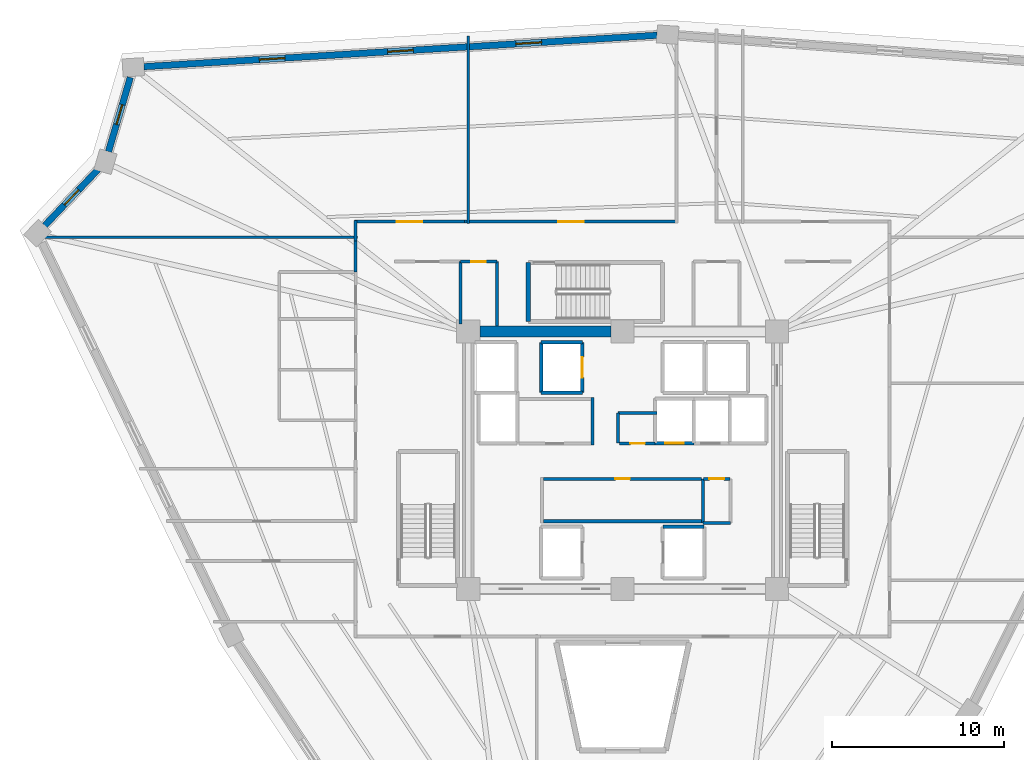
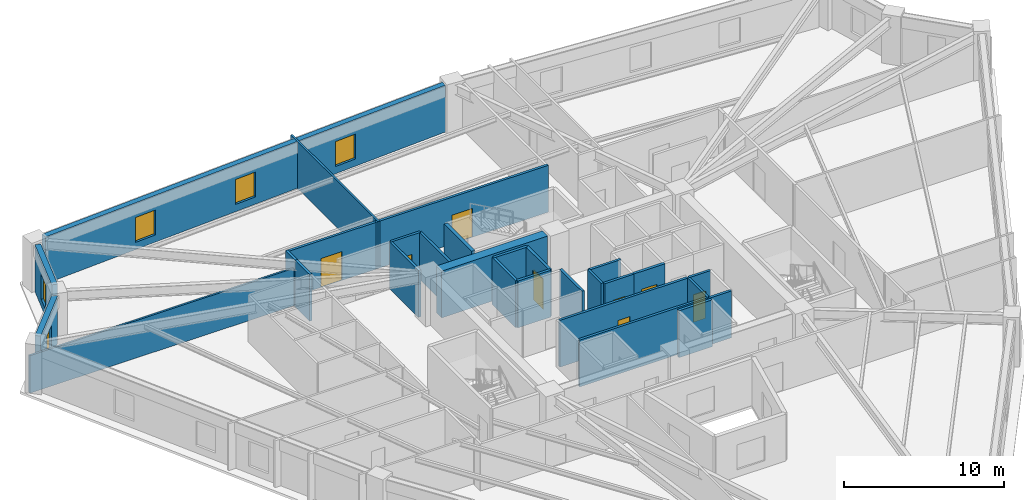
# One storey, part 5 of 8: 29 walls, 8 doors, 5 windows, 13 openings.
"""IFC4 building model written with IfcOpenShell, lengths in metres."""

from ifc_helpers import new_model, si_unit, direction, frame, frame_2d, origin, place, context, subcontext, project, spatial, rectangle, extrude, source, transform, mapped, material, layer, layer_set, type_object, element, fill, save


model = new_model("IFC4")

# Units and contexts
model_context = context("Model", 3, precision=1e-05, world=origin(), true_north=direction((0.0, 1.0)))
body_context = subcontext(model_context, "Body", "Model", "MODEL_VIEW")
ifc_project = project(units=[si_unit("LENGTHUNIT", "METRE"), si_unit("AREAUNIT", "SQUARE_METRE"), si_unit("VOLUMEUNIT", "CUBIC_METRE"), si_unit("PLANEANGLEUNIT", "RADIAN"), si_unit("MASSUNIT", "GRAM", prefix="KILO")], contexts=[model_context])

# Site, building, storey
site_placement = place(None, origin())
site = spatial("IfcSite", under=ifc_project, at=site_placement, CompositionType="ELEMENT")
building_placement = place(site_placement, origin())
building = spatial("IfcBuilding", under=site, at=building_placement, Name="Liaohun Quay Tower", CompositionType="ELEMENT")
storey_placement = place(building_placement, frame((0.0, 0.0, 198.0)))
storey = spatial("IfcBuildingStorey", under=building, at=storey_placement, Name="L51", CompositionType="ELEMENT", Elevation=198.0)

# Wall
ifc_material_1 = material(Name="Concrete C55", Category="concrete")
ifc_layer_1 = layer(ifc_material_1, 0.64990234375, Name="Concrete C55", Category="concrete")
ifc_layer_set_1 = layer_set([ifc_layer_1], Name="Concrete C55")
wall_type_1 = type_object("IfcWallType", Name="WAL-COR-Z3", PredefinedType="SHEAR", material=ifc_layer_set_1)
wall_1_placement = place(storey_placement, frame((51.675048828125, 61.5, 0.0), z_axis=(0.0, 0.0, 1.0), x_axis=(1.0, 0.0, 0.0)))
element("IfcWall", 1, at=wall_1_placement, inside=storey, type_object=wall_type_1, Name="L51 Central Core Shear Wall N-W", PredefinedType="SHEAR", context=body_context, shape_type="SweptSolid", body=[
    extrude(rectangle(XDim=7.64990234375, YDim=0.64990234375, at=frame_2d((3.824951171875, 0.0))), origin(), (0.0, 0.0, 1.0), 3.570068359375),
])

# Wall, openings, windows
ifc_material_2 = material(Name="Precast concrete C50 insulated sandwich", Category="concrete")
ifc_layer_2 = layer(ifc_material_2, 0.3798828125, Name="Precast concrete C50 insulated sandwich", Category="concrete")
ifc_layer_set_2 = layer_set([ifc_layer_2], Name="Precast concrete C50 insulated sandwich")
wall_type_2 = type_object("IfcWallType", Name="WAL-EXT-Z34", PredefinedType="SOLIDWALL", material=ifc_layer_set_2)
wall_2_placement = place(storey_placement, frame((62.006103515625, 78.77392578125, 0.0), z_axis=(0.0, 0.0, 1.0), x_axis=(-0.998134246816, -0.061057557539, 0.0)))
wall_2 = element("IfcWall", 2, at=wall_2_placement, inside=storey, type_object=wall_type_2, Name="L51 Brutalist Precast Pier Wall 07", PredefinedType="SOLIDWALL", context=body_context, shape_type="SweptSolid", body=[
    extrude(rectangle(XDim=29.968994140625, YDim=0.3798828125, at=frame_2d((14.984375, 0.0))), origin(), (0.0, 0.0, 1.0), 3.570068359375),
])
shared_shape_1 = source(origin(), body_context, "Body", "SweptSolid", [
    extrude(rectangle(XDim=1.5, YDim=1.89990234375, at=frame_2d((0.75, 0.949951171875))), frame((0.0, 0.199951171875, 0.0), z_axis=(0.0, -1.0, 0.0), x_axis=(1.0, 0.0, 0.0)), (0.0, 0.0, 1.0), 0.39990234375),
])
opening_1_placement = place(wall_2_placement, frame((6.741943359375, 0.0, 0.550048828125)))
opening_1 = element("IfcOpeningElement", 3, at=opening_1_placement, cuts=wall_2, Name="Opening W03", PredefinedType="OPENING", context=body_context, shape_type="MappedRepresentation", body=[
    mapped(shared_shape_1, transform((0.0, 0.0, 0.0), x_axis=(1.0, 0.0, 0.0), y_axis=(0.0, 1.0, 0.0), z_axis=(0.0, 0.0, 1.0), scale=1.0)),
])
opening_2_placement = place(wall_2_placement, frame((14.23388671875, 0.0, 0.550048828125)))
opening_2 = element("IfcOpeningElement", 4, at=opening_2_placement, cuts=wall_2, Name="Opening W03", PredefinedType="OPENING", context=body_context, shape_type="MappedRepresentation", body=[
    mapped(shared_shape_1, transform((0.0, 0.0, 0.0), x_axis=(1.0, 0.0, 0.0), y_axis=(0.0, 1.0, 0.0), z_axis=(0.0, 0.0, 1.0), scale=1.0)),
])
opening_3_placement = place(wall_2_placement, frame((21.72705078125, 0.0, 0.550048828125)))
opening_3 = element("IfcOpeningElement", 5, at=opening_3_placement, cuts=wall_2, Name="Opening W03", PredefinedType="OPENING", context=body_context, shape_type="MappedRepresentation", body=[
    mapped(shared_shape_1, transform((0.0, 0.0, 0.0), x_axis=(1.0, 0.0, 0.0), y_axis=(0.0, 1.0, 0.0), z_axis=(0.0, 0.0, 1.0), scale=1.0)),
])
ifc_material_3 = material(Name="Triple Low-E argon glazing in thermally broken aluminium", Category="aluminium")
window_type_1 = type_object("IfcWindowType", Name="WIN-PUN-Z3", PartitioningType="DOUBLE_PANEL_VERTICAL", PredefinedType="WINDOW", material=ifc_material_3)
shared_shape_2 = source(origin(), body_context, "Body", "SweptSolid", [
    extrude(rectangle(XDim=1.5, YDim=1.89990234375, at=frame_2d((0.75, 0.949951171875))), frame((0.0, 0.030029296875, 0.0), z_axis=(0.0, -1.0, 0.0), x_axis=(1.0, 0.0, 0.0)), (0.0, 0.0, 1.0), 0.06005859375),
])
window_1_placement = place(opening_1_placement, origin())
window_1 = element("IfcWindow", 6, at=window_1_placement, inside=storey, type_object=window_type_1, Name="L51 Recessed Cold-Climate Punched Window 07-1", OverallHeight=1.89990234375, OverallWidth=1.5, PartitioningType="DOUBLE_PANEL_VERTICAL", PredefinedType="WINDOW", context=body_context, shape_type="MappedRepresentation", body=[
    mapped(shared_shape_2, transform((0.0, 0.0, 0.0), x_axis=(1.0, 0.0, 0.0), y_axis=(0.0, 1.0, 0.0), z_axis=(0.0, 0.0, 1.0), scale=1.0)),
])
fill(opening_1, window_1)
window_2_placement = place(opening_2_placement, origin())
window_2 = element("IfcWindow", 7, at=window_2_placement, inside=storey, type_object=window_type_1, Name="L51 Recessed Cold-Climate Punched Window 07-2", OverallHeight=1.89990234375, OverallWidth=1.5, PartitioningType="DOUBLE_PANEL_VERTICAL", PredefinedType="WINDOW", context=body_context, shape_type="MappedRepresentation", body=[
    mapped(shared_shape_2, transform((0.0, 0.0, 0.0), x_axis=(1.0, 0.0, 0.0), y_axis=(0.0, 1.0, 0.0), z_axis=(0.0, 0.0, 1.0), scale=1.0)),
])
fill(opening_2, window_2)
window_3_placement = place(opening_3_placement, origin())
window_3 = element("IfcWindow", 8, at=window_3_placement, inside=storey, type_object=window_type_1, Name="L51 Recessed Cold-Climate Punched Window 07-3", OverallHeight=1.89990234375, OverallWidth=1.5, PartitioningType="DOUBLE_PANEL_VERTICAL", PredefinedType="WINDOW", context=body_context, shape_type="MappedRepresentation", body=[
    mapped(shared_shape_2, transform((0.0, 0.0, 0.0), x_axis=(1.0, 0.0, 0.0), y_axis=(0.0, 1.0, 0.0), z_axis=(0.0, 0.0, 1.0), scale=1.0)),
])
fill(opening_3, window_3)

# Wall, opening, window
wall_3_placement = place(storey_placement, frame((31.304931640625, 76.31591796875, 0.0), z_axis=(0.0, 0.0, 1.0), x_axis=(-0.282667804741, -0.959217864806, 0.0)))
wall_3 = element("IfcWall", 9, at=wall_3_placement, inside=storey, type_object=wall_type_2, Name="L51 Brutalist Precast Pier Wall 08", PredefinedType="SOLIDWALL", context=body_context, shape_type="SweptSolid", body=[
    extrude(rectangle(XDim=4.5068359375, YDim=0.3798828125, at=frame_2d((2.25341796875, 0.0))), origin(), (0.0, 0.0, 1.0), 3.570068359375),
])
shared_shape_3 = source(origin(), body_context, "Body", "SweptSolid", [
    extrude(rectangle(XDim=1.199951171875, YDim=1.89990234375, at=frame_2d((0.60009765625, 0.949951171875))), frame((0.0, 0.199951171875, 0.0), z_axis=(0.0, -1.0, 0.0), x_axis=(1.0, 0.0, 0.0)), (0.0, 0.0, 1.0), 0.39990234375),
])
opening_4_placement = place(wall_3_placement, frame((1.653076171875, 0.0, 0.550048828125)))
opening_4 = element("IfcOpeningElement", 10, at=opening_4_placement, cuts=wall_3, Name="Opening W05", PredefinedType="OPENING", context=body_context, shape_type="MappedRepresentation", body=[
    mapped(shared_shape_3, transform((0.0, 0.0, 0.0), x_axis=(1.0, 0.0, 0.0), y_axis=(0.0, 1.0, 0.0), z_axis=(0.0, 0.0, 1.0), scale=1.0)),
])
ifc_material_4 = material(Name="Triple Low-E corner notch glazing", Category="glass")
window_type_2 = type_object("IfcWindowType", Name="WIN-NOTCH", PartitioningType="SINGLE_PANEL", PredefinedType="WINDOW", material=ifc_material_4)
shared_shape_4 = source(origin(), body_context, "Body", "SweptSolid", [
    extrude(rectangle(XDim=1.199951171875, YDim=1.89990234375, at=frame_2d((0.60009765625, 0.949951171875))), frame((0.0, 0.030029296875, 0.0), z_axis=(0.0, -1.0, 0.0), x_axis=(1.0, 0.0, 0.0)), (0.0, 0.0, 1.0), 0.06005859375),
])
window_4_placement = place(opening_4_placement, origin())
window_4 = element("IfcWindow", 11, at=window_4_placement, inside=storey, type_object=window_type_2, Name="L51 Corner Notch Window W05-08", OverallHeight=1.89990234375, OverallWidth=1.199951171875, PartitioningType="SINGLE_PANEL", PredefinedType="WINDOW", context=body_context, shape_type="MappedRepresentation", body=[
    mapped(shared_shape_4, transform((0.0, 0.0, 0.0), x_axis=(1.0, 0.0, 0.0), y_axis=(0.0, 1.0, 0.0), z_axis=(0.0, 0.0, 1.0), scale=1.0)),
])
fill(opening_4, window_4)

wall_4_placement = place(storey_placement, frame((29.43310546875, 70.9580078125, 0.0), z_axis=(0.0, 0.0, 1.0), x_axis=(-0.689291978765, -0.724483656137, 0.0)))
wall_4 = element("IfcWall", 12, at=wall_4_placement, inside=storey, type_object=wall_type_2, Name="L51 Brutalist Precast Pier Wall 09", PredefinedType="SOLIDWALL", context=body_context, shape_type="SweptSolid", body=[
    extrude(rectangle(XDim=4.516357421875, YDim=0.3798828125, at=frame_2d((2.25830078125, 0.0))), origin(), (0.0, 0.0, 1.0), 3.570068359375),
])
opening_5_placement = place(wall_4_placement, frame((1.657958984375, 0.0, 0.550048828125)))
opening_5 = element("IfcOpeningElement", 13, at=opening_5_placement, cuts=wall_4, Name="Opening W05", PredefinedType="OPENING", context=body_context, shape_type="MappedRepresentation", body=[
    mapped(shared_shape_3, transform((0.0, 0.0, 0.0), x_axis=(1.0, 0.0, 0.0), y_axis=(0.0, 1.0, 0.0), z_axis=(0.0, 0.0, 1.0), scale=1.0)),
])
window_5_placement = place(opening_5_placement, origin())
window_5 = element("IfcWindow", 14, at=window_5_placement, inside=storey, type_object=window_type_2, Name="L51 Corner Notch Window W05-09", OverallHeight=1.89990234375, OverallWidth=1.199951171875, PartitioningType="SINGLE_PANEL", PredefinedType="WINDOW", context=body_context, shape_type="MappedRepresentation", body=[
    mapped(shared_shape_4, transform((0.0, 0.0, 0.0), x_axis=(1.0, 0.0, 0.0), y_axis=(0.0, 1.0, 0.0), z_axis=(0.0, 0.0, 1.0), scale=1.0)),
])
fill(opening_5, window_5)

# Wall, opening, door
ifc_material_5 = material(Name="Autoclaved aerated concrete blockwork", Category="masonry")
ifc_layer_3 = layer(ifc_material_5, 0.179931640625, Name="Autoclaved aerated concrete blockwork", Category="masonry")
ifc_layer_set_3 = layer_set([ifc_layer_3], Name="Autoclaved aerated concrete blockwork")
wall_type_3 = type_object("IfcWallType", Name="WAL-PRT-COR", PredefinedType="PARTITIONING", material=ifc_layer_set_3)
wall_5_placement = place(storey_placement, frame((55.389892578125, 52.919921875, 0.0), z_axis=(0.0, 0.0, 1.0), x_axis=(1.0, 0.0, 0.0)))
wall_5 = element("IfcWall", 15, at=wall_5_placement, inside=storey, type_object=wall_type_3, Name="L51 Interior Partition Wall 001", PredefinedType="PARTITIONING", context=body_context, shape_type="SweptSolid", body=[
    extrude(rectangle(XDim=9.210205078125, YDim=0.179931640625, at=frame_2d((4.60498046875, 0.0))), origin(), (0.0, 0.0, 1.0), 3.570068359375),
])
shared_shape_5 = source(origin(), body_context, "Body", "SweptSolid", [
    extrude(rectangle(XDim=0.85009765625, YDim=2.10009765625, at=frame_2d((0.425048828125, 1.050048828125))), frame((0.0, 0.099853515625, 0.0), z_axis=(0.0, -1.0, 0.0), x_axis=(1.0, 0.0, 0.0)), (0.0, 0.0, 1.0), 0.199951171875),
])
opening_6_placement = place(wall_5_placement, frame((4.18505859375, 0.0, 0.0)))
opening_6 = element("IfcOpeningElement", 16, at=opening_6_placement, cuts=wall_5, Name="Opening AD1", PredefinedType="OPENING", context=body_context, shape_type="MappedRepresentation", body=[
    mapped(shared_shape_5, transform((0.0, 0.0, 0.0), x_axis=(1.0, 0.0, 0.0), y_axis=(0.0, 1.0, 0.0), z_axis=(0.0, 0.0, 1.0), scale=1.0)),
])
ifc_material_6 = material(Name="Steel riser inspection fire door", Category="steel")
door_type_1 = type_object("IfcDoorType", Name="DOR-SHF-850", OperationType="NOTDEFINED", PredefinedType="DOOR", material=ifc_material_6)
shared_shape_6 = source(origin(), body_context, "Body", "SweptSolid", [
    extrude(rectangle(XDim=0.85009765625, YDim=2.10009765625, at=frame_2d((0.425048828125, 1.050048828125))), frame((0.0, 0.02490234375, 0.0), z_axis=(0.0, -1.0, 0.0), x_axis=(1.0, 0.0, 0.0)), (0.0, 0.0, 1.0), 0.050048828125),
])
door_1_placement = place(opening_6_placement, origin())
door_1 = element("IfcDoor", 17, at=door_1_placement, inside=storey, type_object=door_type_1, Name="L51 Core Tenant Storage and Archive Room Door", OperationType="SINGLE_SWING_LEFT", OverallHeight=2.10009765625, OverallWidth=0.85009765625, PredefinedType="DOOR", context=body_context, shape_type="MappedRepresentation", body=[
    mapped(shared_shape_6, transform((0.0, 0.0, 0.0), x_axis=(1.0, 0.0, 0.0), y_axis=(0.0, 1.0, 0.0), z_axis=(0.0, 0.0, 1.0), scale=1.0)),
])
fill(opening_6, door_1)

wall_6_placement = place(storey_placement, frame((59.81005859375, 54.97998046875, 0.0), z_axis=(0.0, 0.0, 1.0), x_axis=(1.0, 0.0, 0.0)))
wall_6 = element("IfcWall", 18, at=wall_6_placement, inside=storey, type_object=wall_type_3, Name="L51 Interior Partition Wall 003", PredefinedType="PARTITIONING", context=body_context, shape_type="SweptSolid", body=[
    extrude(rectangle(XDim=2.08984375, YDim=0.179931640625, at=frame_2d((1.044921875, 0.0))), origin(), (0.0, 0.0, 1.0), 3.570068359375),
])
opening_7_placement = place(wall_6_placement, frame((0.635009765625, 0.0, 0.0)))
opening_7 = element("IfcOpeningElement", 19, at=opening_7_placement, cuts=wall_6, Name="Opening AD1", PredefinedType="OPENING", context=body_context, shape_type="MappedRepresentation", body=[
    mapped(shared_shape_5, transform((0.0, 0.0, 0.0), x_axis=(1.0, 0.0, 0.0), y_axis=(0.0, 1.0, 0.0), z_axis=(0.0, 0.0, 1.0), scale=1.0)),
])
door_2_placement = place(opening_7_placement, origin())
door_2 = element("IfcDoor", 20, at=door_2_placement, inside=storey, type_object=door_type_1, Name="L51 Electrical Meter Room Door", OperationType="SINGLE_SWING_LEFT", OverallHeight=2.10009765625, OverallWidth=0.85009765625, PredefinedType="DOOR", context=body_context, shape_type="MappedRepresentation", body=[
    mapped(shared_shape_6, transform((0.0, 0.0, 0.0), x_axis=(1.0, 0.0, 0.0), y_axis=(0.0, 1.0, 0.0), z_axis=(0.0, 0.0, 1.0), scale=1.0)),
])
fill(opening_7, door_2)

wall_7_placement = place(storey_placement, frame((64.719970703125, 52.919921875, 0.0), z_axis=(0.0, 0.0, 1.0), x_axis=(1.0, 0.0, 0.0)))
wall_7 = element("IfcWall", 21, at=wall_7_placement, inside=storey, type_object=wall_type_3, Name="L51 Interior Partition Wall 004", PredefinedType="PARTITIONING", context=body_context, shape_type="SweptSolid", body=[
    extrude(rectangle(XDim=1.530029296875, YDim=0.179931640625, at=frame_2d((0.76513671875, 0.0))), origin(), (0.0, 0.0, 1.0), 3.570068359375),
])
opening_8_placement = place(wall_7_placement, frame((0.340087890625, 0.0, 0.0)))
opening_8 = element("IfcOpeningElement", 22, at=opening_8_placement, cuts=wall_7, Name="Opening AD1", PredefinedType="OPENING", context=body_context, shape_type="MappedRepresentation", body=[
    mapped(shared_shape_5, transform((0.0, 0.0, 0.0), x_axis=(1.0, 0.0, 0.0), y_axis=(0.0, 1.0, 0.0), z_axis=(0.0, 0.0, 1.0), scale=1.0)),
])
door_3_placement = place(opening_8_placement, origin())
door_3 = element("IfcDoor", 23, at=door_3_placement, inside=storey, type_object=door_type_1, Name="L51 BMS Data Riser Room Door", OperationType="SINGLE_SWING_RIGHT", OverallHeight=2.10009765625, OverallWidth=0.85009765625, PredefinedType="DOOR", context=body_context, shape_type="MappedRepresentation", body=[
    mapped(shared_shape_6, transform((0.0, 0.0, 0.0), x_axis=(1.0, 0.0, 0.0), y_axis=(0.0, 1.0, 0.0), z_axis=(0.0, 0.0, 1.0), scale=1.0)),
])
fill(opening_8, door_3)

wall_8_placement = place(storey_placement, frame((50.5400390625, 65.580078125, 0.0), z_axis=(0.0, 0.0, 1.0), x_axis=(1.0, 0.0, 0.0)))
wall_8 = element("IfcWall", 24, at=wall_8_placement, inside=storey, type_object=wall_type_3, Name="L51 Interior Partition Wall 008", PredefinedType="PARTITIONING", context=body_context, shape_type="SweptSolid", body=[
    extrude(rectangle(XDim=2.139892578125, YDim=0.179931640625, at=frame_2d((1.06982421875, 0.0))), origin(), (0.0, 0.0, 1.0), 3.570068359375),
])
opening_9_placement = place(wall_8_placement, frame((0.64501953125, 0.0, 0.0)))
opening_9 = element("IfcOpeningElement", 25, at=opening_9_placement, cuts=wall_8, Name="Opening AD1", PredefinedType="OPENING", context=body_context, shape_type="MappedRepresentation", body=[
    mapped(shared_shape_5, transform((0.0, 0.0, 0.0), x_axis=(1.0, 0.0, 0.0), y_axis=(0.0, 1.0, 0.0), z_axis=(0.0, 0.0, 1.0), scale=1.0)),
])
door_4_placement = place(opening_9_placement, origin())
door_4 = element("IfcDoor", 26, at=door_4_placement, inside=storey, type_object=door_type_1, Name="L51 North-West Supply Store Door", OperationType="SINGLE_SWING_RIGHT", OverallHeight=2.10009765625, OverallWidth=0.85009765625, PredefinedType="DOOR", context=body_context, shape_type="MappedRepresentation", body=[
    mapped(shared_shape_6, transform((0.0, 0.0, 0.0), x_axis=(1.0, 0.0, 0.0), y_axis=(0.0, 1.0, 0.0), z_axis=(0.0, 0.0, 1.0), scale=1.0)),
])
fill(opening_9, door_4)

wall_9_placement = place(storey_placement, frame((50.784912109375, 67.909912109375, 0.0), z_axis=(0.0, 0.0, 1.0), x_axis=(1.0, 0.0, 0.0)))
wall_9 = element("IfcWall", 27, at=wall_9_placement, inside=storey, type_object=wall_type_3, Name="L51 Interior Partition Wall 015", PredefinedType="PARTITIONING", context=body_context, shape_type="SweptSolid", body=[
    extrude(rectangle(XDim=12.425048828125, YDim=0.179931640625, at=frame_2d((6.21240234375, 0.0))), origin(), (0.0, 0.0, 1.0), 3.570068359375),
])
shared_shape_7 = source(origin(), body_context, "Body", "SweptSolid", [
    extrude(rectangle(XDim=1.5, YDim=2.199951171875, at=frame_2d((0.75, 1.10009765625))), frame((0.0, 0.099853515625, 0.0), z_axis=(0.0, -1.0, 0.0), x_axis=(1.0, 0.0, 0.0)), (0.0, 0.0, 1.0), 0.199951171875),
])
opening_10_placement = place(wall_9_placement, frame((5.462890625, 0.0, 0.0)))
opening_10 = element("IfcOpeningElement", 28, at=opening_10_placement, cuts=wall_9, Name="Opening OD2", PredefinedType="OPENING", context=body_context, shape_type="MappedRepresentation", body=[
    mapped(shared_shape_7, transform((0.0, 0.0, 0.0), x_axis=(1.0, 0.0, 0.0), y_axis=(0.0, 1.0, 0.0), z_axis=(0.0, 0.0, 1.0), scale=1.0)),
])
ifc_material_7 = material(Name="Acoustic oak veneer double door")
door_type_2 = type_object("IfcDoorType", Name="DOR-OFF-1500", OperationType="DOUBLE_DOOR_SINGLE_SWING", PredefinedType="DOOR", material=ifc_material_7)
shared_shape_8 = source(origin(), body_context, "Body", "SweptSolid", [
    extrude(rectangle(XDim=1.5, YDim=2.199951171875, at=frame_2d((0.75, 1.10009765625))), frame((0.0, 0.02490234375, 0.0), z_axis=(0.0, -1.0, 0.0), x_axis=(1.0, 0.0, 0.0)), (0.0, 0.0, 1.0), 0.050048828125),
])
door_5_placement = place(opening_10_placement, origin())
door_5 = element("IfcDoor", 29, at=door_5_placement, inside=storey, type_object=door_type_2, Name="L51 Project Collaboration Studio 04 Door", OperationType="DOUBLE_DOOR_SINGLE_SWING", OverallHeight=2.199951171875, OverallWidth=1.5, PredefinedType="DOOR", context=body_context, shape_type="MappedRepresentation", body=[
    mapped(shared_shape_8, transform((0.0, 0.0, 0.0), x_axis=(1.0, 0.0, 0.0), y_axis=(0.0, 1.0, 0.0), z_axis=(0.0, 0.0, 1.0), scale=1.0)),
])
fill(opening_10, door_5)

wall_10_placement = place(storey_placement, frame((44.3701171875, 67.909912109375, 0.0), z_axis=(0.0, 0.0, 1.0), x_axis=(1.0, 0.0, 0.0)))
wall_10 = element("IfcWall", 30, at=wall_10_placement, inside=storey, type_object=wall_type_3, Name="L51 Interior Partition Wall 016", PredefinedType="PARTITIONING", context=body_context, shape_type="SweptSolid", body=[
    extrude(rectangle(XDim=6.414794921875, YDim=0.179931640625, at=frame_2d((3.20751953125, 0.0))), origin(), (0.0, 0.0, 1.0), 3.570068359375),
])
opening_11_placement = place(wall_10_placement, frame((2.45703125, 0.0, 0.0)))
opening_11 = element("IfcOpeningElement", 31, at=opening_11_placement, cuts=wall_10, Name="Opening OD2", PredefinedType="OPENING", context=body_context, shape_type="MappedRepresentation", body=[
    mapped(shared_shape_7, transform((0.0, 0.0, 0.0), x_axis=(1.0, 0.0, 0.0), y_axis=(0.0, 1.0, 0.0), z_axis=(0.0, 0.0, 1.0), scale=1.0)),
])
door_6_placement = place(opening_11_placement, origin())
door_6 = element("IfcDoor", 32, at=door_6_placement, inside=storey, type_object=door_type_2, Name="L51 Engineering Model Workshop 05 Door", OperationType="DOUBLE_DOOR_SINGLE_SWING", OverallHeight=2.199951171875, OverallWidth=1.5, PredefinedType="DOOR", context=body_context, shape_type="MappedRepresentation", body=[
    mapped(shared_shape_8, transform((0.0, 0.0, 0.0), x_axis=(1.0, 0.0, 0.0), y_axis=(0.0, 1.0, 0.0), z_axis=(0.0, 0.0, 1.0), scale=1.0)),
])
fill(opening_11, door_6)

# Walls
wall_11_placement = place(storey_placement, frame((59.719970703125, 55.02001953125, 0.0), z_axis=(0.0, 0.0, 1.0), x_axis=(0.0, 1.0, 0.0)))
element("IfcWall", 33, at=wall_11_placement, inside=storey, type_object=wall_type_3, Name="L51 Interior Partition Wall 024", PredefinedType="PARTITIONING", context=body_context, shape_type="SweptSolid", body=[
    extrude(rectangle(XDim=1.72998046875, YDim=0.179931640625, at=frame_2d((0.864990234375, 0.0))), origin(), (0.0, 0.0, 1.0), 3.570068359375),
])
wall_12_placement = place(storey_placement, frame((59.719970703125, 56.75, 0.0), z_axis=(0.0, 0.0, 1.0), x_axis=(1.0, 0.0, 0.0)))
element("IfcWall", 34, at=wall_12_placement, inside=storey, type_object=wall_type_3, Name="L51 Interior Partition Wall 025", PredefinedType="PARTITIONING", context=body_context, shape_type="SweptSolid", body=[
    extrude(rectangle(XDim=2.2900390625, YDim=0.179931640625, at=frame_2d((1.14501953125, 0.0))), origin(), (0.0, 0.0, 1.0), 3.570068359375),
])
wall_13_placement = place(storey_placement, frame((64.68994140625, 50.35009765625, 0.0), z_axis=(0.0, 0.0, 1.0), x_axis=(0.0, 1.0, 0.0)))
element("IfcWall", 35, at=wall_13_placement, inside=storey, type_object=wall_type_3, Name="L51 Interior Partition Wall 026", PredefinedType="PARTITIONING", context=body_context, shape_type="SweptSolid", body=[
    extrude(rectangle(XDim=2.56982421875, YDim=0.179931640625, at=frame_2d((1.284912109375, 0.0))), origin(), (0.0, 0.0, 1.0), 3.570068359375),
])
wall_14_placement = place(storey_placement, frame((64.68994140625, 50.35009765625, 0.0), z_axis=(0.0, 0.0, 1.0), x_axis=(1.0, 0.0, 0.0)))
element("IfcWall", 36, at=wall_14_placement, inside=storey, type_object=wall_type_3, Name="L51 Interior Partition Wall 027", PredefinedType="PARTITIONING", context=body_context, shape_type="SweptSolid", body=[
    extrude(rectangle(XDim=1.590087890625, YDim=0.179931640625, at=frame_2d((0.794921875, 0.0))), origin(), (0.0, 0.0, 1.0), 3.570068359375),
])
wall_15_placement = place(storey_placement, frame((50.5400390625, 61.949951171875, 0.0), z_axis=(0.0, 0.0, 1.0), x_axis=(0.0, 1.0, 0.0)))
element("IfcWall", 37, at=wall_15_placement, inside=storey, type_object=wall_type_3, Name="L51 Interior Partition Wall 034", PredefinedType="PARTITIONING", context=body_context, shape_type="SweptSolid", body=[
    extrude(rectangle(XDim=3.630126953125, YDim=0.179931640625, at=frame_2d((1.81494140625, 0.0))), origin(), (0.0, 0.0, 1.0), 3.570068359375),
])
wall_16_placement = place(storey_placement, frame((52.679931640625, 61.824951171875, 0.0), z_axis=(0.0, 0.0, 1.0), x_axis=(0.0, 1.0, 0.0)))
element("IfcWall", 38, at=wall_16_placement, inside=storey, type_object=wall_type_3, Name="L51 Interior Partition Wall 035", PredefinedType="PARTITIONING", context=body_context, shape_type="SweptSolid", body=[
    extrude(rectangle(XDim=3.755126953125, YDim=0.179931640625, at=frame_2d((1.87744140625, 0.0))), origin(), (0.0, 0.0, 1.0), 3.570068359375),
])
wall_17_placement = place(storey_placement, frame((44.43994140625, 66.784912109375, 0.0), z_axis=(0.0, 0.0, 1.0), x_axis=(0.0, 1.0, 0.0)))
element("IfcWall", 39, at=wall_17_placement, inside=storey, type_object=wall_type_3, Name="L51 Interior Partition Wall 041", PredefinedType="PARTITIONING", context=body_context, shape_type="SweptSolid", body=[
    extrude(rectangle(XDim=1.195068359375, YDim=0.179931640625, at=frame_2d((0.59765625, 0.0))), origin(), (0.0, 0.0, 1.0), 3.570068359375),
])
wall_18_placement = place(storey_placement, frame((44.43994140625, 64.97998046875, 0.0), z_axis=(0.0, 0.0, 1.0), x_axis=(0.0, 1.0, 0.0)))
element("IfcWall", 40, at=wall_18_placement, inside=storey, type_object=wall_type_3, Name="L51 Interior Partition Wall 042", PredefinedType="PARTITIONING", context=body_context, shape_type="SweptSolid", body=[
    extrude(rectangle(XDim=1.804931640625, YDim=0.179931640625, at=frame_2d((0.90234375, 0.0))), origin(), (0.0, 0.0, 1.0), 3.570068359375),
])
wall_19_placement = place(storey_placement, frame((55.389892578125, 50.449951171875, 0.0), z_axis=(0.0, 0.0, 1.0), x_axis=(1.0, 0.0, 0.0)))
element("IfcWall", 41, at=wall_19_placement, inside=storey, type_object=wall_type_3, Name="L51 Interior Partition Wall 058", PredefinedType="PARTITIONING", context=body_context, shape_type="SweptSolid", body=[
    extrude(rectangle(XDim=9.210205078125, YDim=0.179931640625, at=frame_2d((4.60498046875, 0.0))), origin(), (0.0, 0.0, 1.0), 3.570068359375),
])
wall_20_placement = place(storey_placement, frame((58.25, 54.889892578125, 0.0), z_axis=(0.0, 0.0, 1.0), x_axis=(0.0, 1.0, 0.0)))
element("IfcWall", 42, at=wall_20_placement, inside=storey, type_object=wall_type_3, Name="L51 Interior Partition Wall 059", PredefinedType="PARTITIONING", context=body_context, shape_type="SweptSolid", body=[
    extrude(rectangle(XDim=2.780029296875, YDim=0.179931640625, at=frame_2d((1.39013671875, 0.0))), origin(), (0.0, 0.0, 1.0), 3.570068359375),
])
ifc_material_8 = material(Name="Gypsum board on twin steel studs", Category="steel")
ifc_layer_4 = layer(ifc_material_8, 0.139892578125, Name="Gypsum board on twin steel studs", Category="steel")
ifc_layer_set_4 = layer_set([ifc_layer_4], Name="Gypsum board on twin steel studs")
wall_type_4 = type_object("IfcWallType", Name="WAL-PRT-OFF", PredefinedType="PARTITIONING", material=ifc_layer_set_4)
wall_21_placement = place(storey_placement, frame((44.5400390625, 67.0, 0.0), z_axis=(0.0, 0.0, 1.0), x_axis=(-1.0, 0.0, 0.0)))
element("IfcWall", 43, at=wall_21_placement, inside=storey, type_object=wall_type_4, Name="L51 Interior Partition Wall 049", PredefinedType="PARTITIONING", context=body_context, shape_type="SweptSolid", body=[
    extrude(rectangle(XDim=19.22705078125, YDim=0.139892578125, at=frame_2d((9.613525390625, 0.0))), origin(), (0.0, 0.0, 1.0), 2.85498046875),
])
wall_22_placement = place(storey_placement, frame((51.0, 67.81005859375, 0.0), z_axis=(0.0, 0.0, 1.0), x_axis=(0.0, 1.0, 0.0)))
element("IfcWall", 44, at=wall_22_placement, inside=storey, type_object=wall_type_4, Name="L51 Interior Partition Wall 054", PredefinedType="PARTITIONING", context=body_context, shape_type="SweptSolid", body=[
    extrude(rectangle(XDim=10.921875, YDim=0.139892578125, at=frame_2d((5.4609375, 0.0))), origin(), (0.0, 0.0, 1.0), 3.570068359375),
])
ifc_material_9 = material(Name="Concrete C50", Category="concrete")
ifc_layer_5 = layer(ifc_material_9, 0.239990234375, Name="Concrete C50", Category="concrete")
ifc_layer_set_5 = layer_set([ifc_layer_5], Name="Concrete C50")
wall_type_5 = type_object("IfcWallType", Name="WAL-SHF-200", PredefinedType="SOLIDWALL", material=ifc_layer_set_5)
wall_23_placement = place(storey_placement, frame((54.5, 65.5400390625, 0.0), z_axis=(0.0, 0.0, 1.0), x_axis=(0.0, -1.0, 0.0)))
element("IfcWall", 45, at=wall_23_placement, inside=storey, type_object=wall_type_5, Name="L51 Stairwell ST-3 Structural Core Wall W", PredefinedType="SOLIDWALL", context=body_context, shape_type="SweptSolid", body=[
    extrude(rectangle(XDim=3.43994140625, YDim=0.239990234375, at=frame_2d((1.719970703125, 0.0))), origin(), (0.0, 0.0, 1.0), 3.570068359375),
])
for number, where, z_axis, x_axis, name in (
    (46, (64.75, 50.1201171875, 0.0), (0.0, 0.0, 1.0), (-1.0, 0.0, 0.0), "L51 Lift FF-02 Hoistway Wall N"),
    (47, (55.25, 57.949951171875, 0.0), (0.0, 0.0, 1.0), (1.0, 0.0, 0.0), "L51 Lift FF-03 Hoistway Wall S"),
):
    element("IfcWall", number, at=place(storey_placement, frame(where, z_axis=z_axis, x_axis=x_axis)), inside=storey, type_object=wall_type_5, Name=name, PredefinedType="SOLIDWALL", context=body_context, shape_type="SweptSolid", body=[
        extrude(rectangle(XDim=2.39990234375, YDim=0.199951171875, at=frame_2d((1.199951171875, 0.0))), origin(), (0.0, 0.0, 1.0), 3.570068359375),
    ])

# Wall, opening, door
wall_24_placement = place(storey_placement, frame((57.64990234375, 57.949951171875, 0.0), z_axis=(0.0, 0.0, 1.0), x_axis=(0.0, 1.0, 0.0)))
wall_24 = element("IfcWall", 48, at=wall_24_placement, inside=storey, type_object=wall_type_5, Name="L51 Lift FF-03 Hoistway Wall E", PredefinedType="SOLIDWALL", context=body_context, shape_type="SweptSolid", body=[
    extrude(rectangle(XDim=2.929931640625, YDim=0.199951171875, at=frame_2d((1.46484375, 0.0))), origin(), (0.0, 0.0, 1.0), 3.570068359375),
])
shared_shape_9 = source(origin(), body_context, "Body", "SweptSolid", [
    extrude(rectangle(XDim=1.199951171875, YDim=2.300048828125, at=frame_2d((0.60009765625, 1.14990234375))), frame((0.0, 0.10986328125, 0.0), z_axis=(0.0, -1.0, 0.0), x_axis=(1.0, 0.0, 0.0)), (0.0, 0.0, 1.0), 0.219970703125),
])
opening_12_placement = place(wall_24_placement, frame((0.864990234375, 0.0, 0.0)))
opening_12 = element("IfcOpeningElement", 49, at=opening_12_placement, cuts=wall_24, Name="Opening LD2", PredefinedType="OPENING", context=body_context, shape_type="MappedRepresentation", body=[
    mapped(shared_shape_9, transform((0.0, 0.0, 0.0), x_axis=(1.0, 0.0, 0.0), y_axis=(0.0, 1.0, 0.0), z_axis=(0.0, 0.0, 1.0), scale=1.0)),
])
ifc_material_10 = material(Name="Brushed stainless steel stretcher landing door", Category="steel")
door_type_3 = type_object("IfcDoorType", Name="DOR-LFT-1200", OperationType="SLIDING_TO_LEFT", PredefinedType="DOOR", material=ifc_material_10)
shared_shape_10 = source(origin(), body_context, "Body", "SweptSolid", [
    extrude(rectangle(XDim=1.199951171875, YDim=2.300048828125, at=frame_2d((0.60009765625, 1.14990234375))), frame((0.0, 0.02490234375, 0.0), z_axis=(0.0, -1.0, 0.0), x_axis=(1.0, 0.0, 0.0)), (0.0, 0.0, 1.0), 0.050048828125),
])
door_7_placement = place(opening_12_placement, origin())
door_7 = element("IfcDoor", 50, at=door_7_placement, inside=storey, type_object=door_type_3, Name="L51 Lift FF-03 Sliding Landing Door", OperationType="SLIDING_TO_LEFT", OverallHeight=2.300048828125, OverallWidth=1.199951171875, PredefinedType="DOOR", context=body_context, shape_type="MappedRepresentation", body=[
    mapped(shared_shape_10, transform((0.0, 0.0, 0.0), x_axis=(1.0, 0.0, 0.0), y_axis=(0.0, 1.0, 0.0), z_axis=(0.0, 0.0, 1.0), scale=1.0)),
])
fill(opening_12, door_7)

# Walls
wall_25_placement = place(storey_placement, frame((57.64990234375, 60.8798828125, 0.0), z_axis=(0.0, 0.0, 1.0), x_axis=(-1.0, 0.0, 0.0)))
element("IfcWall", 51, at=wall_25_placement, inside=storey, type_object=wall_type_5, Name="L51 Lift FF-03 Hoistway Wall N", PredefinedType="SOLIDWALL", context=body_context, shape_type="SweptSolid", body=[
    extrude(rectangle(XDim=2.39990234375, YDim=0.199951171875, at=frame_2d((1.199951171875, 0.0))), origin(), (0.0, 0.0, 1.0), 3.570068359375),
])
wall_26_placement = place(storey_placement, frame((55.25, 60.8798828125, 0.0), z_axis=(0.0, 0.0, 1.0), x_axis=(0.0, -1.0, 0.0)))
element("IfcWall", 52, at=wall_26_placement, inside=storey, type_object=wall_type_5, Name="L51 Lift FF-03 Hoistway Wall W", PredefinedType="SOLIDWALL", context=body_context, shape_type="SweptSolid", body=[
    extrude(rectangle(XDim=2.929931640625, YDim=0.199951171875, at=frame_2d((1.46484375, 0.0))), origin(), (0.0, 0.0, 1.0), 3.570068359375),
])

# Wall, opening, door
wall_27_placement = place(storey_placement, frame((61.89990234375, 55.0, 0.0), z_axis=(0.0, 0.0, 1.0), x_axis=(1.0, 0.0, 0.0)))
wall_27 = element("IfcWall", 53, at=wall_27_placement, inside=storey, type_object=wall_type_5, Name="L51 Lift PL-3A Hoistway Wall S", PredefinedType="SOLIDWALL", context=body_context, shape_type="SweptSolid", body=[
    extrude(rectangle(XDim=2.25, YDim=0.199951171875, at=frame_2d((1.125, 0.0))), origin(), (0.0, 0.0, 1.0), 3.570068359375),
])
shared_shape_11 = source(origin(), body_context, "Body", "SweptSolid", [
    extrude(rectangle(XDim=1.10009765625, YDim=2.199951171875, at=frame_2d((0.550048828125, 1.10009765625))), frame((0.0, 0.10986328125, 0.0), z_axis=(0.0, -1.0, 0.0), x_axis=(1.0, 0.0, 0.0)), (0.0, 0.0, 1.0), 0.219970703125),
])
opening_13_placement = place(wall_27_placement, frame((0.574951171875, 0.0, 0.0)))
opening_13 = element("IfcOpeningElement", 54, at=opening_13_placement, cuts=wall_27, Name="Opening LD1", PredefinedType="OPENING", context=body_context, shape_type="MappedRepresentation", body=[
    mapped(shared_shape_11, transform((0.0, 0.0, 0.0), x_axis=(1.0, 0.0, 0.0), y_axis=(0.0, 1.0, 0.0), z_axis=(0.0, 0.0, 1.0), scale=1.0)),
])
ifc_material_11 = material(Name="Brushed stainless steel landing door", Category="steel")
door_type_4 = type_object("IfcDoorType", Name="DOR-LFT-1100", OperationType="SLIDING_TO_LEFT", PredefinedType="DOOR", material=ifc_material_11)
shared_shape_12 = source(origin(), body_context, "Body", "SweptSolid", [
    extrude(rectangle(XDim=1.10009765625, YDim=2.199951171875, at=frame_2d((0.550048828125, 1.10009765625))), frame((0.0, 0.02490234375, 0.0), z_axis=(0.0, -1.0, 0.0), x_axis=(1.0, 0.0, 0.0)), (0.0, 0.0, 1.0), 0.050048828125),
])
door_8_placement = place(opening_13_placement, origin())
door_8 = element("IfcDoor", 55, at=door_8_placement, inside=storey, type_object=door_type_4, Name="L51 Lift PL-3A Sliding Landing Door", OperationType="SLIDING_TO_LEFT", OverallHeight=2.199951171875, OverallWidth=1.10009765625, PredefinedType="DOOR", context=body_context, shape_type="MappedRepresentation", body=[
    mapped(shared_shape_12, transform((0.0, 0.0, 0.0), x_axis=(1.0, 0.0, 0.0), y_axis=(0.0, 1.0, 0.0), z_axis=(0.0, 0.0, 1.0), scale=1.0)),
])
fill(opening_13, door_8)

save(model, "model.ifc")
